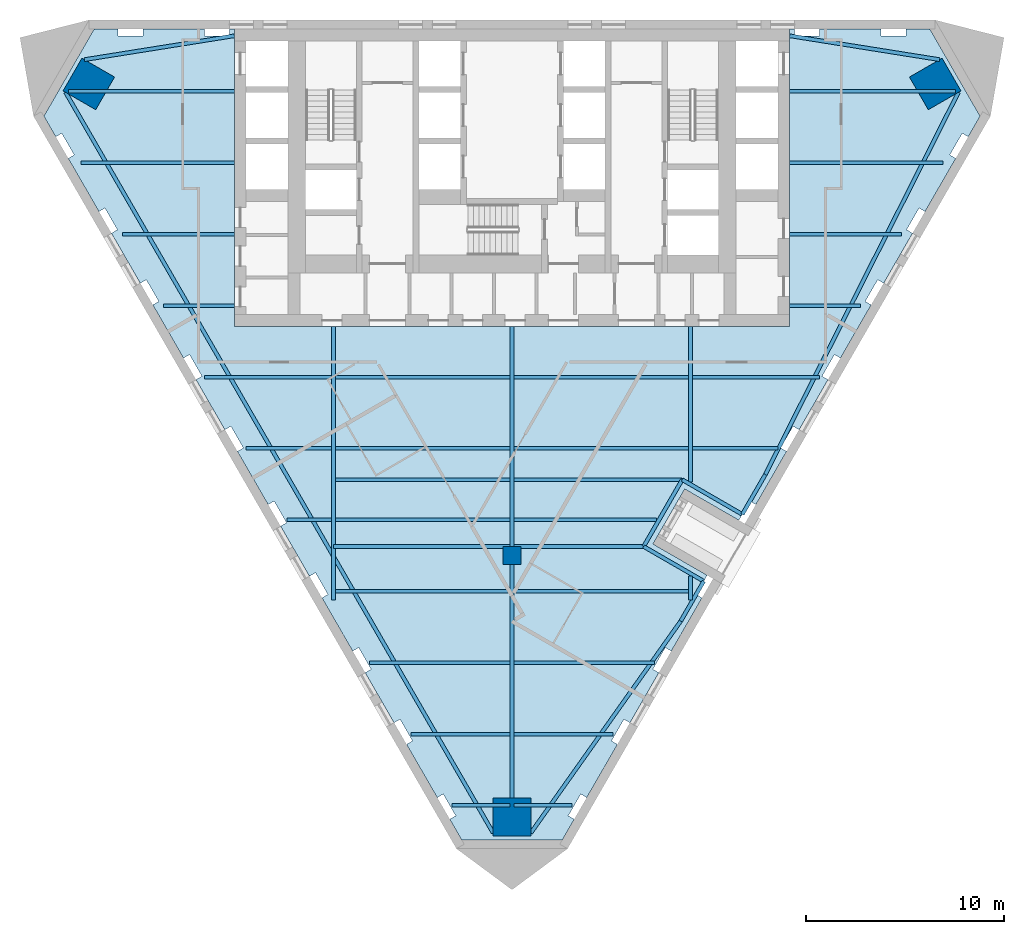
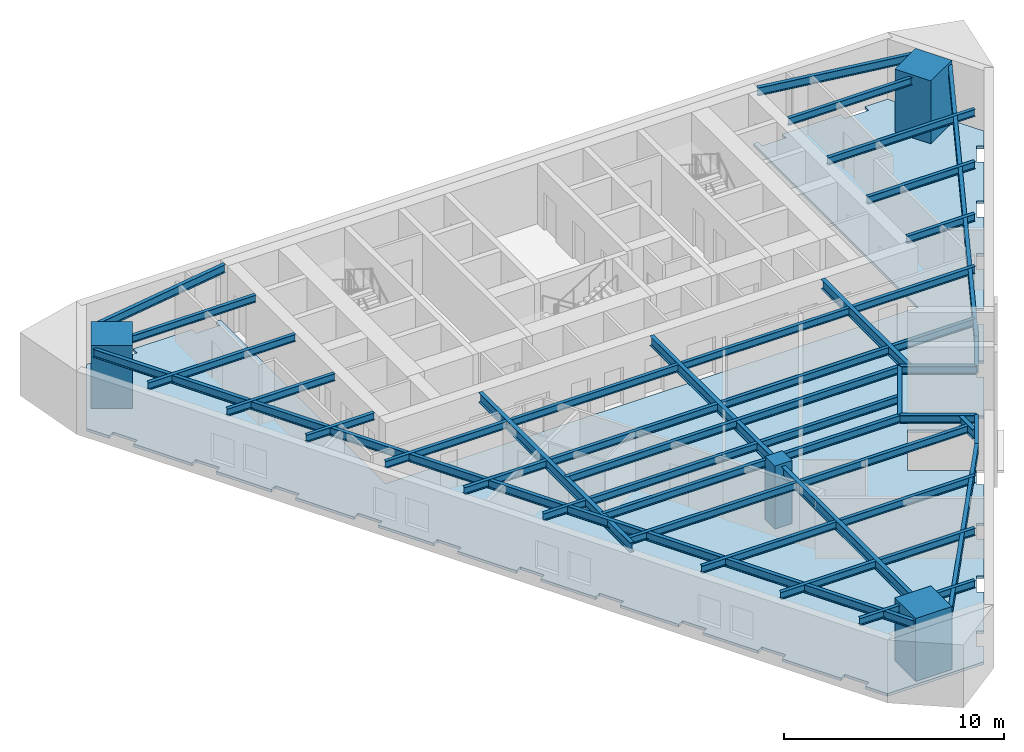
# One storey, part 1 of 7: 44 beams, 4 columns, 1 slab.
"""IFC4 building model written with IfcOpenShell, lengths in metres."""

from ifc_helpers import new_model, si_unit, direction, frame, origin, origin_2d, place, context, subcontext, project, spatial, polyline, rectangle, i_section, outline, extrude, material, layer, layer_set, material_profile, profile_set, type_object, element, save


model = new_model("IFC4")

# Units and contexts
model_context = context("Model", 3, precision=1e-05, world=origin(), true_north=direction((0.0, 1.0)))
body_context = subcontext(model_context, "Body", "Model", "MODEL_VIEW")
ifc_project = project(units=[si_unit("LENGTHUNIT", "METRE"), si_unit("AREAUNIT", "SQUARE_METRE"), si_unit("VOLUMEUNIT", "CUBIC_METRE"), si_unit("PLANEANGLEUNIT", "RADIAN"), si_unit("MASSUNIT", "GRAM", prefix="KILO")], contexts=[model_context])

# Site, building, storey
site_placement = place(None, origin())
site = spatial("IfcSite", under=ifc_project, at=site_placement, CompositionType="ELEMENT")
building_placement = place(site_placement, origin())
building = spatial("IfcBuilding", under=site, at=building_placement, Name="Aloe Facet Convention Tower", CompositionType="ELEMENT")
storey_placement = place(building_placement, frame((0.0, 0.0, 113.300048828125)))
storey = spatial("IfcBuildingStorey", under=building, at=storey_placement, Name="L28", CompositionType="ELEMENT", Elevation=113.300048828125)

# Columns
ifc_material_1 = material(Name="Concrete C70/85", Category="concrete")
ifc_material_profile_1 = material_profile(ifc_material_1, rectangle(XDim=0.89990234375, YDim=0.89990234375, at=origin_2d()), Name="SF-GC-Z2")
ifc_profile_set_1 = profile_set([ifc_material_profile_1], Name="Concrete C70/85")
column_type_1 = type_object("IfcColumnType", Name="SF-GC-Z2", PredefinedType="COLUMN", material=ifc_profile_set_1)
column_placement = place(storey_placement, frame((80.0, 108.0, 0.0), z_axis=(0.0, 0.0, 1.0), x_axis=(1.0, 0.0, 0.0)))
element("IfcColumn", 1, at=column_placement, inside=storey, type_object=column_type_1, Name="Gravity column GC-Z2-9D", PredefinedType="COLUMN", context=body_context, shape_type="SweptSolid", body=[
    extrude(rectangle(XDim=0.89990234375, YDim=0.89990234375, at=origin_2d()), origin(), (0.0, 0.0, 1.0), 3.5),
])
ifc_material_2 = material(Name="Concrete C80/95", Category="concrete")
ifc_material_profile_2 = material_profile(ifc_material_2, rectangle(XDim=1.89990234375, YDim=1.89990234375, at=origin_2d()), Name="STW-MC-Z2")
ifc_profile_set_2 = profile_set([ifc_material_profile_2], Name="Concrete C80/95")
column_type_2 = type_object("IfcColumnType", Name="STW-MC-Z2", PredefinedType="COLUMN", material=ifc_profile_set_2)
for number, where, z_axis, x_axis, name in (
    (2, (101.3359375, 131.775146484375, 0.0), (0.0, 0.0, 1.0), (-0.5, 0.866025403784, 0.0), "Mega-column MC-NE-L28"),
    (3, (58.6640625, 131.775146484375, 0.0), (0.0, 0.0, 1.0), (-0.5, -0.866025403784, 0.0), "Mega-column MC-NW-L28"),
    (4, (80.0, 94.8203125, 0.0), (0.0, 0.0, 1.0), (1.0, 0.0, 0.0), "Mega-column MC-S-L28"),
):
    element("IfcColumn", number, at=place(storey_placement, frame(where, z_axis=z_axis, x_axis=x_axis)), inside=storey, type_object=column_type_2, Name=name, PredefinedType="COLUMN", context=body_context, shape_type="SweptSolid", body=[
        extrude(rectangle(XDim=1.89990234375, YDim=1.89990234375, at=origin_2d()), origin(), (0.0, 0.0, 1.0), 3.5),
    ])

# Beams
ifc_material_3 = material(Name="Steel S355", Category="steel")
ifc_material_profile_3 = material_profile(ifc_material_3, i_section(OverallWidth=0.177734375, OverallDepth=0.402587890625, WebThickness=0.0078125, FlangeThickness=0.010986328125, FilletRadius=0.01025390625, at=origin_2d()), Name="UB 406x178x54")
ifc_profile_set_3 = profile_set([ifc_material_profile_3], Name="Steel S355")
beam_type_1 = type_object("IfcBeamType", Name="SF-B-UB406x178x54", PredefinedType="BEAM", material=ifc_profile_set_3)
beam_1_placement = place(storey_placement, frame((57.6376953125, 131.39990234375, 3.148681640625), z_axis=(1.0, 0.0, 0.0), x_axis=(0.0, 1.0, 0.0)))
element("IfcBeam", 5, at=beam_1_placement, inside=storey, type_object=beam_type_1, Name="Floor beam FB-Z2H-016", PredefinedType="BEAM", context=body_context, shape_type="SweptSolid", body=[
    extrude(i_section(OverallWidth=0.177734375, OverallDepth=0.402587890625, WebThickness=0.0078125, FlangeThickness=0.010986328125, FilletRadius=0.01025390625, at=origin_2d()), origin(), (0.0, 0.0, 1.0), 8.3623046875),
])
beam_2_placement = place(storey_placement, frame((58.27294921875, 127.800048828125, 3.148681640625), z_axis=(1.0, 0.0, 0.0), x_axis=(0.0, 1.0, 0.0)))
element("IfcBeam", 6, at=beam_2_placement, inside=storey, type_object=beam_type_1, Name="Floor beam FB-Z2H-017", PredefinedType="BEAM", context=body_context, shape_type="SweptSolid", body=[
    extrude(i_section(OverallWidth=0.177734375, OverallDepth=0.402587890625, WebThickness=0.0078125, FlangeThickness=0.010986328125, FilletRadius=0.01025390625, at=origin_2d()), origin(), (0.0, 0.0, 1.0), 7.72705078125),
])
beam_3_placement = place(storey_placement, frame((60.351318359375, 124.199951171875, 3.148681640625), z_axis=(1.0, 0.0, 0.0), x_axis=(0.0, 1.0, 0.0)))
element("IfcBeam", 7, at=beam_3_placement, inside=storey, type_object=beam_type_1, Name="Floor beam FB-Z2H-018", PredefinedType="BEAM", context=body_context, shape_type="SweptSolid", body=[
    extrude(i_section(OverallWidth=0.177734375, OverallDepth=0.402587890625, WebThickness=0.0078125, FlangeThickness=0.010986328125, FilletRadius=0.01025390625, at=origin_2d()), origin(), (0.0, 0.0, 1.0), 5.648681640625),
])
beam_4_placement = place(storey_placement, frame((62.429931640625, 120.60009765625, 3.148681640625), z_axis=(1.0, 0.0, 0.0), x_axis=(0.0, 1.0, 0.0)))
element("IfcBeam", 8, at=beam_4_placement, inside=storey, type_object=beam_type_1, Name="Floor beam FB-Z2H-019", PredefinedType="BEAM", context=body_context, shape_type="SweptSolid", body=[
    extrude(i_section(OverallWidth=0.177734375, OverallDepth=0.402587890625, WebThickness=0.0078125, FlangeThickness=0.010986328125, FilletRadius=0.01025390625, at=origin_2d()), origin(), (0.0, 0.0, 1.0), 3.570068359375),
])
beam_5_placement = place(storey_placement, frame((64.50830078125, 117.0, 3.148681640625), z_axis=(1.0, 0.0, 0.0), x_axis=(0.0, 1.0, 0.0)))
element("IfcBeam", 9, at=beam_5_placement, inside=storey, type_object=beam_type_1, Name="Floor beam FB-Z2H-020", PredefinedType="BEAM", context=body_context, shape_type="SweptSolid", body=[
    extrude(i_section(OverallWidth=0.177734375, OverallDepth=0.402587890625, WebThickness=0.0078125, FlangeThickness=0.010986328125, FilletRadius=0.01025390625, at=origin_2d()), origin(), (0.0, 0.0, 1.0), 6.38623046875),
])
beam_6_placement = place(storey_placement, frame((66.5869140625, 113.39990234375, 3.148681640625), z_axis=(1.0, 0.0, 0.0), x_axis=(0.0, 1.0, 0.0)))
element("IfcBeam", 10, at=beam_6_placement, inside=storey, type_object=beam_type_1, Name="Floor beam FB-Z2H-021", PredefinedType="BEAM", context=body_context, shape_type="SweptSolid", body=[
    extrude(i_section(OverallWidth=0.177734375, OverallDepth=0.402587890625, WebThickness=0.0078125, FlangeThickness=0.010986328125, FilletRadius=0.01025390625, at=origin_2d()), origin(), (0.0, 0.0, 1.0), 4.3076171875),
])
beam_7_placement = place(storey_placement, frame((68.665283203125, 109.800048828125, 3.148681640625), z_axis=(1.0, 0.0, 0.0), x_axis=(0.0, 1.0, 0.0)))
element("IfcBeam", 11, at=beam_7_placement, inside=storey, type_object=beam_type_1, Name="Floor beam FB-Z2H-022", PredefinedType="BEAM", context=body_context, shape_type="SweptSolid", body=[
    extrude(i_section(OverallWidth=0.177734375, OverallDepth=0.402587890625, WebThickness=0.0078125, FlangeThickness=0.010986328125, FilletRadius=0.01025390625, at=origin_2d()), origin(), (0.0, 0.0, 1.0), 2.229248046875),
])
for number, where, z_axis, x_axis, name in (
    (12, (71.10546875, 106.199951171875, 3.148681640625), (1.0, 0.0, 0.0), (0.0, 1.0, 0.0), "Floor beam FB-Z2H-023"),
    (13, (71.10546875, 109.800048828125, 3.148681640625), (1.0, 0.0, 0.0), (0.0, 1.0, 0.0), "Floor beam FB-Z2H-024"),
    (14, (71.10546875, 113.39990234375, 3.148681640625), (1.0, 0.0, 0.0), (0.0, 1.0, 0.0), "Floor beam FB-Z2H-025"),
    (15, (71.10546875, 117.0, 3.148681640625), (1.0, 0.0, 0.0), (0.0, 1.0, 0.0), "Floor beam FB-Z2H-026"),
):
    element("IfcBeam", number, at=place(storey_placement, frame(where, z_axis=z_axis, x_axis=x_axis)), inside=storey, type_object=beam_type_1, Name=name, PredefinedType="BEAM", context=body_context, shape_type="SweptSolid", body=[
        extrude(i_section(OverallWidth=0.177734375, OverallDepth=0.402587890625, WebThickness=0.0078125, FlangeThickness=0.010986328125, FilletRadius=0.01025390625, at=origin_2d()), origin(), (0.0, 0.0, 1.0), 8.7890625),
    ])
beam_8_placement = place(storey_placement, frame((72.822265625, 102.60009765625, 3.148681640625), z_axis=(1.0, 0.0, 0.0), x_axis=(0.0, 1.0, 0.0)))
element("IfcBeam", 16, at=beam_8_placement, inside=storey, type_object=beam_type_1, Name="Floor beam FB-Z2H-027", PredefinedType="BEAM", context=body_context, shape_type="SweptSolid", body=[
    extrude(i_section(OverallWidth=0.177734375, OverallDepth=0.402587890625, WebThickness=0.0078125, FlangeThickness=0.010986328125, FilletRadius=0.01025390625, at=origin_2d()), origin(), (0.0, 0.0, 1.0), 7.072265625),
])
beam_9_placement = place(storey_placement, frame((74.900634765625, 99.0, 3.148681640625), z_axis=(1.0, 0.0, 0.0), x_axis=(0.0, 1.0, 0.0)))
element("IfcBeam", 17, at=beam_9_placement, inside=storey, type_object=beam_type_1, Name="Floor beam FB-Z2H-028", PredefinedType="BEAM", context=body_context, shape_type="SweptSolid", body=[
    extrude(i_section(OverallWidth=0.177734375, OverallDepth=0.402587890625, WebThickness=0.0078125, FlangeThickness=0.010986328125, FilletRadius=0.01025390625, at=origin_2d()), origin(), (0.0, 0.0, 1.0), 4.993896484375),
])
for number, where, z_axis, x_axis, name in (
    (18, (76.97900390625, 95.39990234375, 3.148681640625), (1.0, 0.0, 0.0), (0.0, 1.0, 0.0), "Floor beam FB-Z2H-029"),
    (19, (80.10546875, 95.39990234375, 3.148681640625), (1.0, 0.0, 0.0), (0.0, 1.0, 0.0), "Floor beam FB-Z2H-030"),
):
    element("IfcBeam", number, at=place(storey_placement, frame(where, z_axis=z_axis, x_axis=x_axis)), inside=storey, type_object=beam_type_1, Name=name, PredefinedType="BEAM", context=body_context, shape_type="SweptSolid", body=[
        extrude(i_section(OverallWidth=0.177734375, OverallDepth=0.402587890625, WebThickness=0.0078125, FlangeThickness=0.010986328125, FilletRadius=0.01025390625, at=origin_2d()), origin(), (0.0, 0.0, 1.0), 2.91552734375),
    ])
beam_10_placement = place(storey_placement, frame((80.10546875, 99.0, 3.148681640625), z_axis=(1.0, 0.0, 0.0), x_axis=(0.0, 1.0, 0.0)))
element("IfcBeam", 20, at=beam_10_placement, inside=storey, type_object=beam_type_1, Name="Floor beam FB-Z2H-031", PredefinedType="BEAM", context=body_context, shape_type="SweptSolid", body=[
    extrude(i_section(OverallWidth=0.177734375, OverallDepth=0.402587890625, WebThickness=0.0078125, FlangeThickness=0.010986328125, FilletRadius=0.01025390625, at=origin_2d()), origin(), (0.0, 0.0, 1.0), 4.993896484375),
])
beam_11_placement = place(storey_placement, frame((80.10546875, 102.60009765625, 3.148681640625), z_axis=(1.0, 0.0, 0.0), x_axis=(0.0, 1.0, 0.0)))
element("IfcBeam", 21, at=beam_11_placement, inside=storey, type_object=beam_type_1, Name="Floor beam FB-Z2H-032", PredefinedType="BEAM", context=body_context, shape_type="SweptSolid", body=[
    extrude(i_section(OverallWidth=0.177734375, OverallDepth=0.402587890625, WebThickness=0.0078125, FlangeThickness=0.010986328125, FilletRadius=0.01025390625, at=origin_2d()), origin(), (0.0, 0.0, 1.0), 7.072265625),
])
beam_12_placement = place(storey_placement, frame((80.10546875, 106.199951171875, 3.148681640625), z_axis=(1.0, 0.0, 0.0), x_axis=(0.0, 1.0, 0.0)))
element("IfcBeam", 22, at=beam_12_placement, inside=storey, type_object=beam_type_1, Name="Floor beam FB-Z2H-033", PredefinedType="BEAM", context=body_context, shape_type="SweptSolid", body=[
    extrude(i_section(OverallWidth=0.177734375, OverallDepth=0.402587890625, WebThickness=0.0078125, FlangeThickness=0.010986328125, FilletRadius=0.01025390625, at=origin_2d()), origin(), (0.0, 0.0, 1.0), 8.7890625),
])
beam_13_placement = place(storey_placement, frame((80.10546875, 109.800048828125, 3.148681640625), z_axis=(1.0, 0.0, 0.0), x_axis=(0.0, 1.0, 0.0)))
element("IfcBeam", 23, at=beam_13_placement, inside=storey, type_object=beam_type_1, Name="Floor beam FB-Z2H-034", PredefinedType="BEAM", context=body_context, shape_type="SweptSolid", body=[
    extrude(i_section(OverallWidth=0.177734375, OverallDepth=0.402587890625, WebThickness=0.0078125, FlangeThickness=0.010986328125, FilletRadius=0.01025390625, at=origin_2d()), origin(), (0.0, 0.0, 1.0), 7.187744140625),
])
for number, where, z_axis, x_axis, name in (
    (24, (80.10546875, 113.39990234375, 3.148681640625), (1.0, 0.0, 0.0), (0.0, 1.0, 0.0), "Floor beam FB-Z2H-035"),
    (25, (80.10546875, 117.0, 3.148681640625), (1.0, 0.0, 0.0), (0.0, 1.0, 0.0), "Floor beam FB-Z2H-036"),
):
    element("IfcBeam", number, at=place(storey_placement, frame(where, z_axis=z_axis, x_axis=x_axis)), inside=storey, type_object=beam_type_1, Name=name, PredefinedType="BEAM", context=body_context, shape_type="SweptSolid", body=[
        extrude(i_section(OverallWidth=0.177734375, OverallDepth=0.402587890625, WebThickness=0.0078125, FlangeThickness=0.010986328125, FilletRadius=0.01025390625, at=origin_2d()), origin(), (0.0, 0.0, 1.0), 8.7890625),
    ])
beam_14_placement = place(storey_placement, frame((86.63671875, 108.455322265625, 3.148681640625), z_axis=(-1.0, 0.0, 0.0), x_axis=(0.0, -1.0, 0.0)))
element("IfcBeam", 26, at=beam_14_placement, inside=storey, type_object=beam_type_1, Name="Floor beam FB-Z2H-037", PredefinedType="BEAM", context=body_context, shape_type="SweptSolid", body=[
    extrude(i_section(OverallWidth=0.177734375, OverallDepth=0.402587890625, WebThickness=0.0078125, FlangeThickness=0.010986328125, FilletRadius=0.01025390625, at=origin_2d()), origin(), (0.0, 0.0, 1.0), 15.63671875),
])
beam_15_placement = place(storey_placement, frame((88.58154296875, 111.82421875, 3.148681640625), z_axis=(-1.0, 0.0, 0.0), x_axis=(0.0, -1.0, 0.0)))
element("IfcBeam", 27, at=beam_15_placement, inside=storey, type_object=beam_type_1, Name="Floor beam FB-Z2H-038", PredefinedType="BEAM", context=body_context, shape_type="SweptSolid", body=[
    extrude(i_section(OverallWidth=0.177734375, OverallDepth=0.402587890625, WebThickness=0.0078125, FlangeThickness=0.010986328125, FilletRadius=0.01025390625, at=origin_2d()), origin(), (0.0, 0.0, 1.0), 17.58154296875),
])
beam_16_placement = place(storey_placement, frame((89.10546875, 113.39990234375, 3.148681640625), z_axis=(1.0, 0.0, 0.0), x_axis=(0.0, 1.0, 0.0)))
element("IfcBeam", 28, at=beam_16_placement, inside=storey, type_object=beam_type_1, Name="Floor beam FB-Z2H-039", PredefinedType="BEAM", context=body_context, shape_type="SweptSolid", body=[
    extrude(i_section(OverallWidth=0.177734375, OverallDepth=0.402587890625, WebThickness=0.0078125, FlangeThickness=0.010986328125, FilletRadius=0.01025390625, at=origin_2d()), origin(), (0.0, 0.0, 1.0), 4.3076171875),
])
beam_17_placement = place(storey_placement, frame((89.10546875, 117.0, 3.148681640625), z_axis=(1.0, 0.0, 0.0), x_axis=(0.0, 1.0, 0.0)))
element("IfcBeam", 29, at=beam_17_placement, inside=storey, type_object=beam_type_1, Name="Floor beam FB-Z2H-040", PredefinedType="BEAM", context=body_context, shape_type="SweptSolid", body=[
    extrude(i_section(OverallWidth=0.177734375, OverallDepth=0.402587890625, WebThickness=0.0078125, FlangeThickness=0.010986328125, FilletRadius=0.01025390625, at=origin_2d()), origin(), (0.0, 0.0, 1.0), 6.38623046875),
])
beam_18_placement = place(storey_placement, frame((94.0, 120.60009765625, 3.148681640625), z_axis=(1.0, 0.0, 0.0), x_axis=(0.0, 1.0, 0.0)))
element("IfcBeam", 30, at=beam_18_placement, inside=storey, type_object=beam_type_1, Name="Floor beam FB-Z2H-041", PredefinedType="BEAM", context=body_context, shape_type="SweptSolid", body=[
    extrude(i_section(OverallWidth=0.177734375, OverallDepth=0.402587890625, WebThickness=0.0078125, FlangeThickness=0.010986328125, FilletRadius=0.01025390625, at=origin_2d()), origin(), (0.0, 0.0, 1.0), 3.570068359375),
])
beam_19_placement = place(storey_placement, frame((94.0, 124.199951171875, 3.148681640625), z_axis=(1.0, 0.0, 0.0), x_axis=(0.0, 1.0, 0.0)))
element("IfcBeam", 31, at=beam_19_placement, inside=storey, type_object=beam_type_1, Name="Floor beam FB-Z2H-042", PredefinedType="BEAM", context=body_context, shape_type="SweptSolid", body=[
    extrude(i_section(OverallWidth=0.177734375, OverallDepth=0.402587890625, WebThickness=0.0078125, FlangeThickness=0.010986328125, FilletRadius=0.01025390625, at=origin_2d()), origin(), (0.0, 0.0, 1.0), 5.648681640625),
])
beam_20_placement = place(storey_placement, frame((94.0, 127.800048828125, 3.148681640625), z_axis=(1.0, 0.0, 0.0), x_axis=(0.0, 1.0, 0.0)))
element("IfcBeam", 32, at=beam_20_placement, inside=storey, type_object=beam_type_1, Name="Floor beam FB-Z2H-043", PredefinedType="BEAM", context=body_context, shape_type="SweptSolid", body=[
    extrude(i_section(OverallWidth=0.177734375, OverallDepth=0.402587890625, WebThickness=0.0078125, FlangeThickness=0.010986328125, FilletRadius=0.01025390625, at=origin_2d()), origin(), (0.0, 0.0, 1.0), 7.72705078125),
])
beam_21_placement = place(storey_placement, frame((94.0, 131.39990234375, 3.148681640625), z_axis=(1.0, 0.0, 0.0), x_axis=(0.0, 1.0, 0.0)))
element("IfcBeam", 33, at=beam_21_placement, inside=storey, type_object=beam_type_1, Name="Floor beam FB-Z2H-044", PredefinedType="BEAM", context=body_context, shape_type="SweptSolid", body=[
    extrude(i_section(OverallWidth=0.177734375, OverallDepth=0.402587890625, WebThickness=0.0078125, FlangeThickness=0.010986328125, FilletRadius=0.01025390625, at=origin_2d()), origin(), (0.0, 0.0, 1.0), 8.3623046875),
])
ifc_material_4 = material(Name="Steel S355", Category="steel")
ifc_material_profile_4 = material_profile(ifc_material_4, i_section(OverallWidth=0.18994140625, OverallDepth=0.453369140625, WebThickness=0.008544921875, FlangeThickness=0.0126953125, FilletRadius=0.01025390625, at=origin_2d()), Name="UB 457x191x67")
ifc_profile_set_4 = profile_set([ifc_material_profile_4], Name="Steel S355")
beam_type_2 = type_object("IfcBeamType", Name="SF-B-UB457x191x67", PredefinedType="BEAM", material=ifc_profile_set_4)
beam_22_placement = place(storey_placement, frame((66.0, 134.205078125, 3.123291015625), z_axis=(-0.987536396348, -0.15739080624, 0.0), x_axis=(0.15739080624, -0.987536396348, 0.0)))
element("IfcBeam", 34, at=beam_22_placement, inside=storey, type_object=beam_type_2, Name="Floor beam FB-Z2H-001", PredefinedType="BEAM", context=body_context, shape_type="SweptSolid", body=[
    extrude(i_section(OverallWidth=0.18994140625, OverallDepth=0.453369140625, WebThickness=0.008544921875, FlangeThickness=0.0126953125, FilletRadius=0.01025390625, at=origin_2d()), origin(), (0.0, 0.0, 1.0), 7.653564453125),
])
beam_23_placement = place(storey_placement, frame((79.050048828125, 94.01513671875, 3.123291015625), z_axis=(-0.499998897659, 0.86602604022, 0.0), x_axis=(-0.86602604022, -0.499998897659, 0.0)))
element("IfcBeam", 35, at=beam_23_placement, inside=storey, type_object=beam_type_2, Name="Floor beam FB-Z2H-002", PredefinedType="BEAM", context=body_context, shape_type="SweptSolid", body=[
    extrude(i_section(OverallWidth=0.18994140625, OverallDepth=0.453369140625, WebThickness=0.008544921875, FlangeThickness=0.0126953125, FilletRadius=0.01025390625, at=origin_2d()), origin(), (0.0, 0.0, 1.0), 43.1162109375),
])
beam_24_placement = place(storey_placement, frame((86.63671875, 108.455322265625, 3.123291015625), z_axis=(0.866019471182, -0.500010275428, 0.0), x_axis=(0.500010275428, 0.866019471182, 0.0)))
element("IfcBeam", 36, at=beam_24_placement, inside=storey, type_object=beam_type_2, Name="Floor beam FB-Z2H-003", PredefinedType="BEAM", context=body_context, shape_type="SweptSolid", body=[
    extrude(i_section(OverallWidth=0.18994140625, OverallDepth=0.453369140625, WebThickness=0.008544921875, FlangeThickness=0.0126953125, FilletRadius=0.01025390625, at=origin_2d()), origin(), (0.0, 0.0, 1.0), 3.5),
])
beam_25_placement = place(storey_placement, frame((88.508056640625, 104.69677734375, 3.123291015625), z_axis=(-0.577607271397, -0.81631479224, 0.0), x_axis=(0.81631479224, -0.577607271397, 0.0)))
element("IfcBeam", 37, at=beam_25_placement, inside=storey, type_object=beam_type_2, Name="Floor beam FB-Z2H-004", PredefinedType="BEAM", context=body_context, shape_type="SweptSolid", body=[
    extrude(i_section(OverallWidth=0.18994140625, OverallDepth=0.453369140625, WebThickness=0.008544921875, FlangeThickness=0.0126953125, FilletRadius=0.01025390625, at=origin_2d()), origin(), (0.0, 0.0, 1.0), 13.085205078125),
])
beam_26_placement = place(storey_placement, frame((88.58154296875, 111.82421875, 3.123291015625), z_axis=(-0.499959689288, -0.866048675934, 0.0), x_axis=(0.866048675934, -0.499959689288, 0.0)))
element("IfcBeam", 38, at=beam_26_placement, inside=storey, type_object=beam_type_2, Name="Floor beam FB-Z2H-005", PredefinedType="BEAM", context=body_context, shape_type="SweptSolid", body=[
    extrude(i_section(OverallWidth=0.18994140625, OverallDepth=0.453369140625, WebThickness=0.008544921875, FlangeThickness=0.0126953125, FilletRadius=0.01025390625, at=origin_2d()), origin(), (0.0, 0.0, 1.0), 3.889892578125),
])
beam_27_placement = place(storey_placement, frame((89.667724609375, 106.705322265625, 3.123291015625), z_axis=(-0.500011000363, -0.866019052629, 0.0), x_axis=(0.866019052629, -0.500011000363, 0.0)))
element("IfcBeam", 39, at=beam_27_placement, inside=storey, type_object=beam_type_2, Name="Floor beam FB-Z2H-006", PredefinedType="BEAM", context=body_context, shape_type="SweptSolid", body=[
    extrude(i_section(OverallWidth=0.18994140625, OverallDepth=0.453369140625, WebThickness=0.008544921875, FlangeThickness=0.0126953125, FilletRadius=0.01025390625, at=origin_2d()), origin(), (0.0, 0.0, 1.0), 2.3193359375),
])
beam_28_placement = place(storey_placement, frame((91.612548828125, 110.07421875, 3.123291015625), z_axis=(-0.866019471182, 0.500010275428, 0.0), x_axis=(-0.500010275428, -0.866019471182, 0.0)))
element("IfcBeam", 40, at=beam_28_placement, inside=storey, type_object=beam_type_2, Name="Floor beam FB-Z2H-007", PredefinedType="BEAM", context=body_context, shape_type="SweptSolid", body=[
    extrude(i_section(OverallWidth=0.18994140625, OverallDepth=0.453369140625, WebThickness=0.008544921875, FlangeThickness=0.0126953125, FilletRadius=0.01025390625, at=origin_2d()), origin(), (0.0, 0.0, 1.0), 3.5),
])
beam_29_placement = place(storey_placement, frame((92.772216796875, 112.082763671875, 3.123291015625), z_axis=(-0.500011000363, -0.866019052629, 0.0), x_axis=(0.866019052629, -0.500011000363, 0.0)))
element("IfcBeam", 41, at=beam_29_placement, inside=storey, type_object=beam_type_2, Name="Floor beam FB-Z2H-008", PredefinedType="BEAM", context=body_context, shape_type="SweptSolid", body=[
    extrude(i_section(OverallWidth=0.18994140625, OverallDepth=0.453369140625, WebThickness=0.008544921875, FlangeThickness=0.0126953125, FilletRadius=0.01025390625, at=origin_2d()), origin(), (0.0, 0.0, 1.0), 2.3193359375),
])
beam_30_placement = place(storey_placement, frame((92.772216796875, 112.082763671875, 3.123291015625), z_axis=(0.45090494264, 0.892571976203, 0.0), x_axis=(-0.892571976203, 0.45090494264, 0.0)))
element("IfcBeam", 42, at=beam_30_placement, inside=storey, type_object=beam_type_2, Name="Floor beam FB-Z2H-009", PredefinedType="BEAM", context=body_context, shape_type="SweptSolid", body=[
    extrude(i_section(OverallWidth=0.18994140625, OverallDepth=0.453369140625, WebThickness=0.008544921875, FlangeThickness=0.0126953125, FilletRadius=0.01025390625, at=origin_2d()), origin(), (0.0, 0.0, 1.0), 21.591796875),
])
beam_31_placement = place(storey_placement, frame((94.0, 134.205078125, 3.123291015625), z_axis=(0.987536396348, -0.15739080624, 0.0), x_axis=(0.15739080624, 0.987536396348, 0.0)))
element("IfcBeam", 43, at=beam_31_placement, inside=storey, type_object=beam_type_2, Name="Floor beam FB-Z2H-010", PredefinedType="BEAM", context=body_context, shape_type="SweptSolid", body=[
    extrude(i_section(OverallWidth=0.18994140625, OverallDepth=0.453369140625, WebThickness=0.008544921875, FlangeThickness=0.0126953125, FilletRadius=0.01025390625, at=origin_2d()), origin(), (0.0, 0.0, 1.0), 7.653564453125),
])
ifc_material_5 = material(Name="Steel S355", Category="steel")
ifc_material_profile_5 = material_profile(ifc_material_5, i_section(OverallWidth=0.210693359375, OverallDepth=0.53955078125, WebThickness=0.01171875, FlangeThickness=0.018798828125, FilletRadius=0.0126953125, at=origin_2d()), Name="UB 533x210x109")
ifc_profile_set_5 = profile_set([ifc_material_profile_5], Name="Steel S355")
beam_type_3 = type_object("IfcBeamType", Name="SF-B-UB533x210x109", PredefinedType="BEAM", material=ifc_profile_set_5)
beam_32_placement = place(storey_placement, frame((71.0, 119.550048828125, 3.080078125), z_axis=(0.0, -1.0, 0.0), x_axis=(1.0, 0.0, 0.0)))
element("IfcBeam", 44, at=beam_32_placement, inside=storey, type_object=beam_type_3, Name="Floor beam FB-Z2H-011", PredefinedType="BEAM", context=body_context, shape_type="SweptSolid", body=[
    extrude(i_section(OverallWidth=0.210693359375, OverallDepth=0.53955078125, WebThickness=0.01171875, FlangeThickness=0.018798828125, FilletRadius=0.0126953125, at=origin_2d()), origin(), (0.0, 0.0, 1.0), 13.80126953125),
])
beam_33_placement = place(storey_placement, frame((80.0, 107.550048828125, 3.080078125), z_axis=(0.0, -1.0, 0.0), x_axis=(1.0, 0.0, 0.0)))
element("IfcBeam", 45, at=beam_33_placement, inside=storey, type_object=beam_type_3, Name="Floor beam FB-Z2H-012", PredefinedType="BEAM", context=body_context, shape_type="SweptSolid", body=[
    extrude(i_section(OverallWidth=0.210693359375, OverallDepth=0.53955078125, WebThickness=0.01171875, FlangeThickness=0.018798828125, FilletRadius=0.0126953125, at=origin_2d()), origin(), (0.0, 0.0, 1.0), 13.429931640625),
])
beam_34_placement = place(storey_placement, frame((80.0, 119.550048828125, 3.080078125), z_axis=(0.0, -1.0, 0.0), x_axis=(1.0, 0.0, 0.0)))
element("IfcBeam", 46, at=beam_34_placement, inside=storey, type_object=beam_type_3, Name="Floor beam FB-Z2H-013", PredefinedType="BEAM", context=body_context, shape_type="SweptSolid", body=[
    extrude(i_section(OverallWidth=0.210693359375, OverallDepth=0.53955078125, WebThickness=0.01171875, FlangeThickness=0.018798828125, FilletRadius=0.0126953125, at=origin_2d()), origin(), (0.0, 0.0, 1.0), 11.10009765625),
])
beam_35_placement = place(storey_placement, frame((89.0, 106.97119140625, 3.080078125), z_axis=(0.0, -1.0, 0.0), x_axis=(1.0, 0.0, 0.0)))
element("IfcBeam", 47, at=beam_35_placement, inside=storey, type_object=beam_type_3, Name="Floor beam FB-Z2H-014", PredefinedType="BEAM", context=body_context, shape_type="SweptSolid", body=[
    extrude(i_section(OverallWidth=0.210693359375, OverallDepth=0.53955078125, WebThickness=0.01171875, FlangeThickness=0.018798828125, FilletRadius=0.0126953125, at=origin_2d()), origin(), (0.0, 0.0, 1.0), 1.222412109375),
])
beam_36_placement = place(storey_placement, frame((89.0, 119.550048828125, 3.080078125), z_axis=(0.0, -1.0, 0.0), x_axis=(1.0, 0.0, 0.0)))
element("IfcBeam", 48, at=beam_36_placement, inside=storey, type_object=beam_type_3, Name="Floor beam FB-Z2H-015", PredefinedType="BEAM", context=body_context, shape_type="SweptSolid", body=[
    extrude(i_section(OverallWidth=0.210693359375, OverallDepth=0.53955078125, WebThickness=0.01171875, FlangeThickness=0.018798828125, FilletRadius=0.0126953125, at=origin_2d()), origin(), (0.0, 0.0, 1.0), 7.847900390625),
])

# Slab
ifc_material_6 = material(Name="Concrete C35/45", Category="concrete")
ifc_layer = layer(ifc_material_6, 0.14990234375)
ifc_layer_set = layer_set([ifc_layer], Name="SF-FS-150")
slab_type = type_object("IfcSlabType", Name="SF-FS-150", PredefinedType="FLOOR", material=ifc_layer_set)
slab_placement = place(storey_placement, frame((0.0, 0.0, -0.150146484375)))
element("IfcSlab", 49, at=slab_placement, inside=storey, type_object=slab_type, Name="Floor slab L28-1", PredefinedType="FLOOR", context=body_context, shape_type="SweptSolid", body=[
    extrude(outline(polyline([(77.459716796875, 93.67041015625), (76.862060546875, 94.70556640625), (77.165283203125, 94.880615234375), (76.533935546875, 95.973876953125), (76.23095703125, 95.798828125), (74.68408203125, 98.477783203125), (74.9873046875, 98.652587890625), (74.356201171875, 99.745849609375), (74.052978515625, 99.57080078125), (72.597900390625, 102.091552734375), (72.90087890625, 102.2666015625), (72.269775390625, 103.35986328125), (71.966552734375, 103.184814453125), (70.419921875, 105.86376953125), (70.722900390625, 106.038818359375), (70.091796875, 107.1318359375), (69.788818359375, 106.956787109375), (68.33349609375, 109.4775390625), (68.63671875, 109.652587890625), (68.00537109375, 110.745849609375), (67.702392578125, 110.57080078125), (66.155517578125, 113.249755859375), (66.458740234375, 113.4248046875), (65.827392578125, 114.517822265625), (65.5244140625, 114.343017578125), (64.069091796875, 116.863525390625), (64.372314453125, 117.03857421875), (63.7412109375, 118.1318359375), (63.43798828125, 117.956787109375), (61.891357421875, 120.6357421875), (62.1943359375, 120.810791015625), (61.563232421875, 121.90380859375), (61.260009765625, 121.72900390625), (59.8046875, 124.24951171875), (60.10791015625, 124.424560546875), (59.476806640625, 125.517822265625), (59.173583984375, 125.3427734375), (57.626953125, 128.021728515625), (57.93017578125, 128.19677734375), (57.298828125, 129.289794921875), (56.995849609375, 129.114990234375), (56.398193359375, 130.150390625), (58.938232421875, 134.550048828125), (60.1337890625, 134.550048828125), (60.1337890625, 134.199951171875), (61.39599609375, 134.199951171875), (61.39599609375, 134.550048828125), (64.489501953125, 134.550048828125), (64.489501953125, 134.199951171875), (65.751708984375, 134.199951171875), (65.751708984375, 134.550048828125), (66.0, 134.550048828125), (66.0, 131.949951171875), (66.0, 131.050048828125), (66.0, 129.35009765625), (66.0, 128.449951171875), (66.0, 126.449951171875), (66.0, 125.85009765625), (66.0, 124.689453125), (66.0, 123.639404296875), (66.0, 122.550048828125), (66.0, 121.5), (66.0, 119.550048828125), (68.699951171875, 119.550048828125), (69.300048828125, 119.550048828125), (72.10009765625, 119.550048828125), (73.14990234375, 119.550048828125), (74.300048828125, 119.550048828125), (75.35009765625, 119.550048828125), (76.433349609375, 119.550048828125), (77.4833984375, 119.550048828125), (78.566650390625, 119.550048828125), (79.61669921875, 119.550048828125), (80.699951171875, 119.550048828125), (81.75, 119.550048828125), (82.64990234375, 119.550048828125), (83.699951171875, 119.550048828125), (84.64990234375, 119.550048828125), (85.699951171875, 119.550048828125), (86.85009765625, 119.550048828125), (87.89990234375, 119.550048828125), (88.550048828125, 119.550048828125), (89.60009765625, 119.550048828125), (90.699951171875, 119.550048828125), (91.300048828125, 119.550048828125), (94.0, 119.550048828125), (94.0, 122.523681640625), (94.0, 123.57373046875), (94.0, 125.85009765625), (94.0, 126.449951171875), (94.0, 128.449951171875), (94.0, 129.35009765625), (94.0, 131.050048828125), (94.0, 131.949951171875), (94.0, 134.550048828125), (94.248291015625, 134.550048828125), (94.248291015625, 134.199951171875), (95.510498046875, 134.199951171875), (95.510498046875, 134.550048828125), (98.60400390625, 134.550048828125), (98.60400390625, 134.199951171875), (99.8662109375, 134.199951171875), (99.8662109375, 134.550048828125), (101.061767578125, 134.550048828125), (103.601806640625, 130.150390625), (103.004150390625, 129.114990234375), (102.701171875, 129.289794921875), (102.06982421875, 128.19677734375), (102.373046875, 128.021728515625), (100.826416015625, 125.3427734375), (100.523193359375, 125.517822265625), (99.89208984375, 124.424560546875), (100.1953125, 124.24951171875), (98.739990234375, 121.72900390625), (98.436767578125, 121.90380859375), (97.8056640625, 120.810791015625), (98.108642578125, 120.6357421875), (96.56201171875, 117.956787109375), (96.2587890625, 118.1318359375), (95.627685546875, 117.03857421875), (95.930908203125, 116.863525390625), (94.4755859375, 114.343017578125), (94.172607421875, 114.517822265625), (93.541259765625, 113.4248046875), (93.844482421875, 113.249755859375), (92.297607421875, 110.57080078125), (91.99462890625, 110.745849609375), (91.435791015625, 109.77783203125), (88.707763671875, 111.352783203125), (87.10791015625, 108.58154296875), (89.835693359375, 107.006591796875), (89.277099609375, 106.038818359375), (89.580078125, 105.86376953125), (88.033447265625, 103.184814453125), (87.730224609375, 103.35986328125), (87.09912109375, 102.2666015625), (87.402099609375, 102.091552734375), (85.947021484375, 99.57080078125), (85.643798828125, 99.745849609375), (85.0126953125, 98.652587890625), (85.31591796875, 98.477783203125), (83.76904296875, 95.798828125), (83.466064453125, 95.973876953125), (82.834716796875, 94.880615234375), (83.137939453125, 94.70556640625), (82.540283203125, 93.67041015625), (77.459716796875, 93.67041015625)]), holes=[polyline([(80.449951171875, 107.550048828125), (80.449951171875, 108.449951171875), (79.550048828125, 108.449951171875), (79.550048828125, 107.550048828125), (80.449951171875, 107.550048828125)]), polyline([(58.31640625, 133.072998046875), (57.366455078125, 131.427490234375), (59.01171875, 130.477294921875), (59.9619140625, 132.122802734375), (58.31640625, 133.072998046875)]), polyline([(79.050048828125, 93.870361328125), (80.949951171875, 93.870361328125), (80.949951171875, 95.770263671875), (79.050048828125, 95.770263671875), (79.050048828125, 93.870361328125)]), polyline([(102.633544921875, 131.427490234375), (101.68359375, 133.072998046875), (100.0380859375, 132.122802734375), (100.98828125, 130.477294921875), (102.633544921875, 131.427490234375)])]), origin(), (0.0, 0.0, 1.0), 0.150146484375),
])

save(model, "model.ifc")
